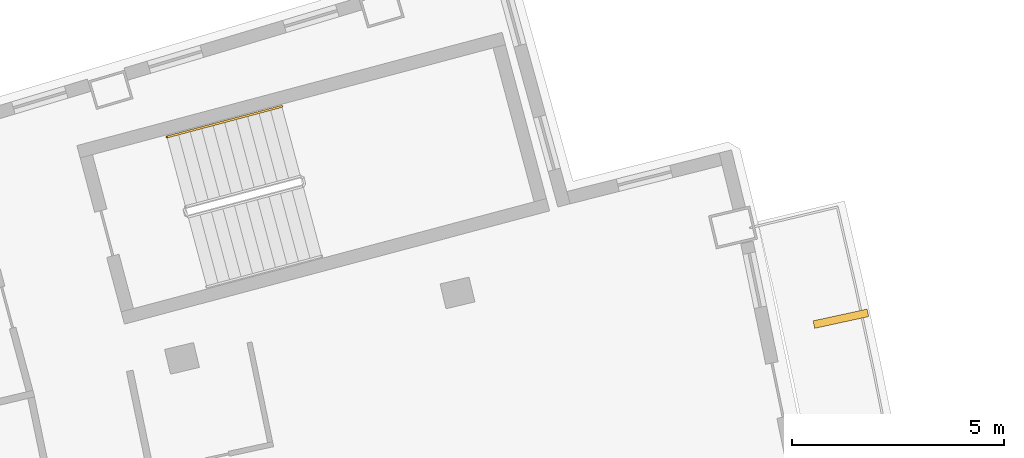
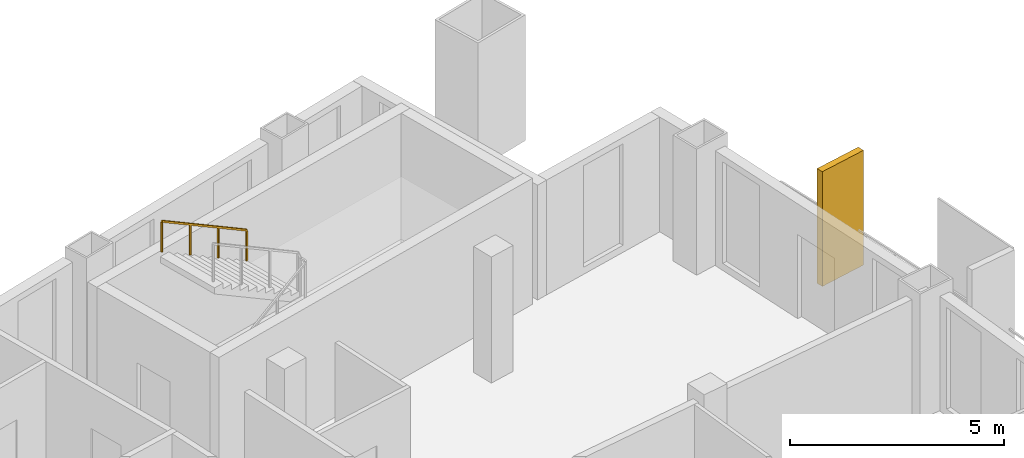
# One storey, part 16 of 16: 1 railing, 1 shading device.
"""IFC4 building model written with IfcOpenShell, lengths in metres."""

from ifc_helpers import new_model, si_unit, direction, frame, origin, origin_2d, place, context, subcontext, project, spatial, rectangle, extrude, material, layer, layer_set, type_object, element, save


model = new_model("IFC4")

# Units and contexts
model_context = context("Model", 3, precision=1e-05, world=origin(), true_north=direction((0.0, 1.0)))
body_context = subcontext(model_context, "Body", "Model", "MODEL_VIEW")
ifc_project = project(units=[si_unit("LENGTHUNIT", "METRE"), si_unit("AREAUNIT", "SQUARE_METRE"), si_unit("VOLUMEUNIT", "CUBIC_METRE"), si_unit("PLANEANGLEUNIT", "RADIAN"), si_unit("MASSUNIT", "GRAM", prefix="KILO")], contexts=[model_context])

# Site, building, storey
site_placement = place(None, origin())
site = spatial("IfcSite", under=ifc_project, at=site_placement, CompositionType="ELEMENT")
building_placement = place(site_placement, origin())
building = spatial("IfcBuilding", under=site, at=building_placement, Name="Alderwake Tower", CompositionType="ELEMENT")
storey_placement = place(building_placement, frame((0.0, 0.0, 281.60009765625)))
storey = spatial("IfcBuildingStorey", under=building, at=storey_placement, Name="L70", CompositionType="ELEMENT", Elevation=281.60009765625)

# Shading device
ifc_material_1 = material(Name="Bronze anodised aluminium", Category="aluminium")
ifc_layer = layer(ifc_material_1, 0.179931640625)
ifc_layer_set = layer_set([ifc_layer], Name="Facade fin 1300")
shading_device_type = type_object("IfcShadingDeviceType", Name="Facade fin 1300", PredefinedType="USERDEFINED", material=ifc_layer_set)
shading_device_placement = place(storey_placement, frame((54.65966796875, 90.251220703125, 0.0), z_axis=(0.0, 0.0, 1.0), x_axis=(0.977210363881, 0.212273184185, 0.0)))
element("IfcShadingDevice", 1, at=shading_device_placement, inside=storey, type_object=shading_device_type, Name="Fin", ObjectType="FIN", PredefinedType="USERDEFINED", context=body_context, shape_type="SweptSolid", body=[
    extrude(rectangle(XDim=1.300048828125, YDim=0.179931640625, at=origin_2d()), origin(), (0.0, 0.0, 1.0), 3.280029296875),
])

# Railing
ifc_material_2 = material(Name="Stainless steel handrail", Category="steel")
railing_type = type_object("IfcRailingType", Name="Stair handrail 900", PredefinedType="HANDRAIL", material=ifc_material_2)
railing_placement = place(storey_placement, frame((41.497802734375, 95.250244140625, 1.963623046875)))
element("IfcRailing", 2, at=railing_placement, inside=storey, type_object=railing_type, Name="L70 ST-A stair handrail 2", PredefinedType="HANDRAIL", context=body_context, shape_type="SweptSolid", body=[
    extrude(rectangle(XDim=0.048095703125, YDim=0.048095703125, at=origin_2d()), frame((0.0, 0.0, 0.8759765625), z_axis=(-0.834290631165, -0.222236594766, 0.504549342183), x_axis=(0.257402139082, -0.966304371715, 0.0)), (0.0, 0.0, 1.0), 3.242919921875),
    extrude(rectangle(XDim=0.0419921875, YDim=0.0419921875, at=origin_2d()), frame((0.0, 0.0, 0.0), z_axis=(0.0, 0.0, 1.0), x_axis=(-0.966304371715, -0.257402139082, 0.0)), (0.0, 0.0, 1.0), 0.851806640625),
    extrude(rectangle(XDim=0.0419921875, YDim=0.0419921875, at=origin_2d()), frame((-0.90185546875, -0.240234375, 0.54541015625), z_axis=(0.0, 0.0, 1.0), x_axis=(-0.966304371715, -0.257402139082, 0.0)), (0.0, 0.0, 1.0), 0.851806640625),
    extrude(rectangle(XDim=0.0419921875, YDim=0.0419921875, at=origin_2d()), frame((-1.8037109375, -0.48046875, 1.0908203125), z_axis=(0.0, 0.0, 1.0), x_axis=(-0.966304371715, -0.257402139082, 0.0)), (0.0, 0.0, 1.0), 0.851806640625),
    extrude(rectangle(XDim=0.0419921875, YDim=0.0419921875, at=origin_2d()), frame((-2.70556640625, -0.720703125, 1.63623046875), z_axis=(0.0, 0.0, 1.0), x_axis=(-0.966304371715, -0.257402139082, 0.0)), (0.0, 0.0, 1.0), 0.851806640625),
])

save(model, "model.ifc")
